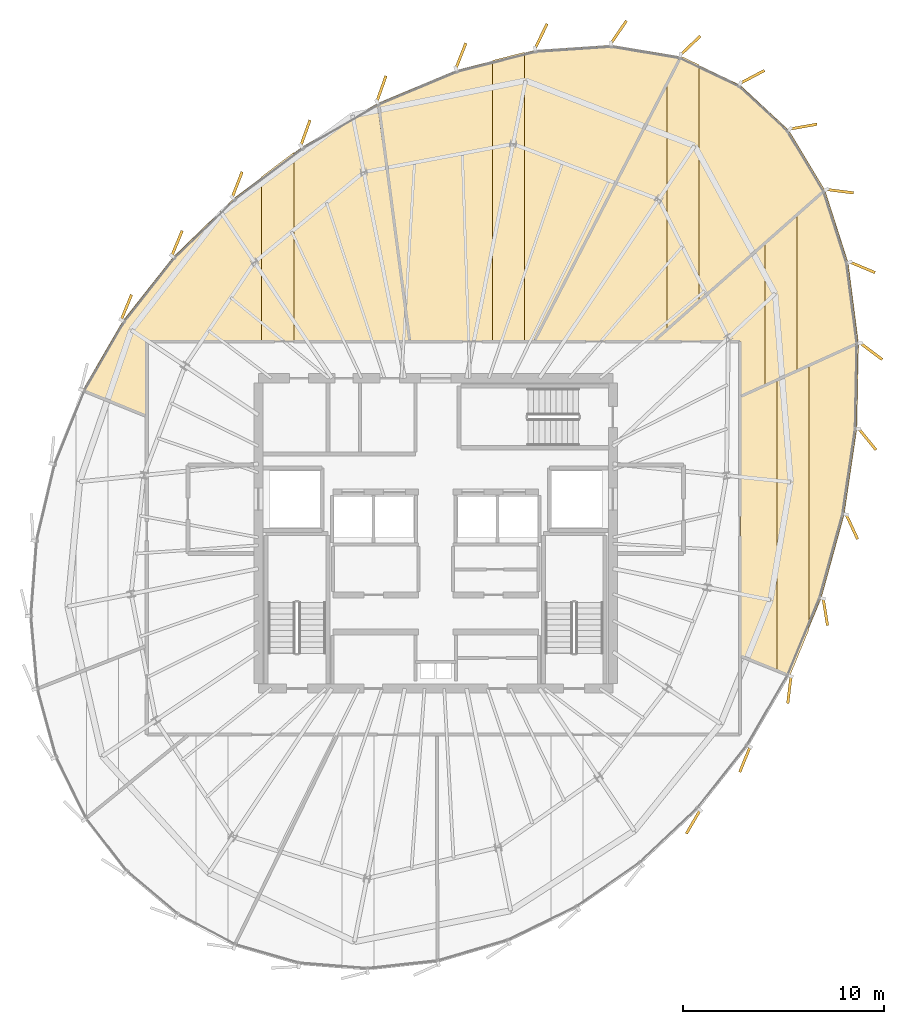
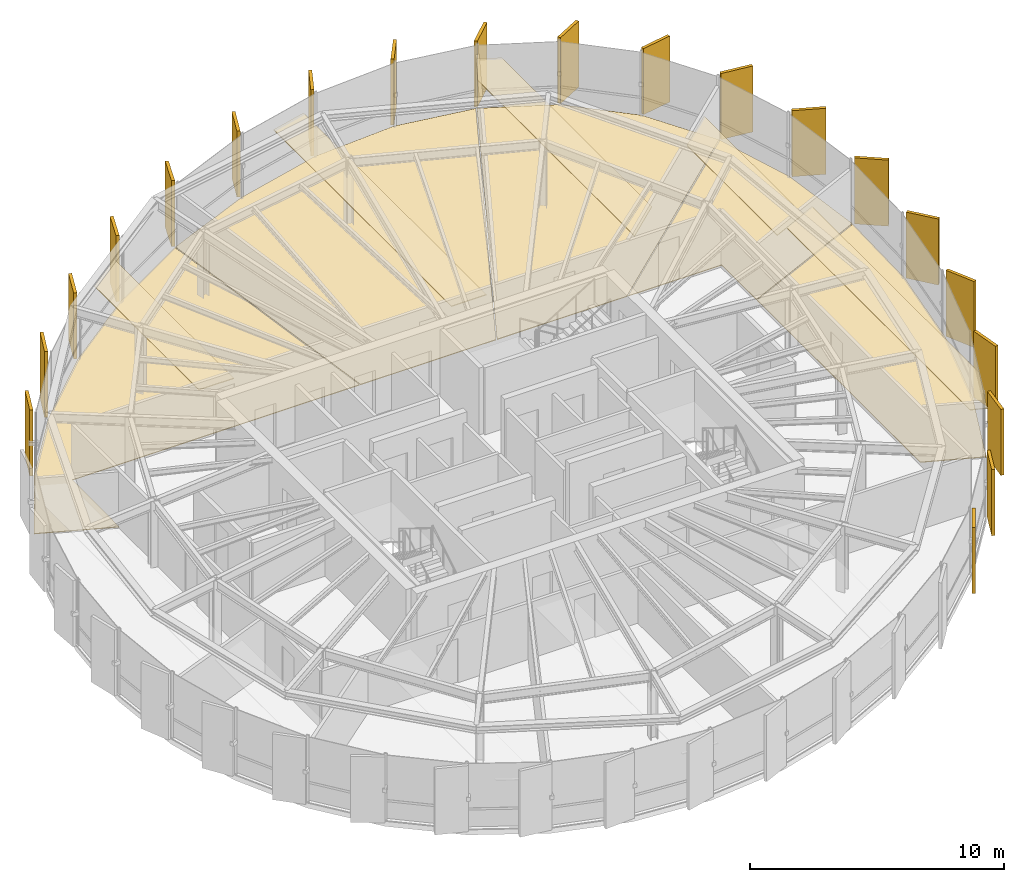
# One storey, part 34 of 34: 30 coverings.
"""IFC4 building model written with IfcOpenShell, lengths in metres."""

from ifc_helpers import new_model, si_unit, direction, frame, origin, origin_2d, place, context, subcontext, project, spatial, polyline, rectangle, outline, extrude, source, transform, mapped, material, layer, layer_set, type_object, element, save


model = new_model("IFC4")

# Units and contexts
model_context = context("Model", 3, precision=1e-05, world=origin(), true_north=direction((0.0, 1.0)))
body_context = subcontext(model_context, "Body", "Model", "MODEL_VIEW")
ifc_project = project(units=[si_unit("LENGTHUNIT", "METRE"), si_unit("AREAUNIT", "SQUARE_METRE"), si_unit("VOLUMEUNIT", "CUBIC_METRE"), si_unit("PLANEANGLEUNIT", "RADIAN"), si_unit("MASSUNIT", "GRAM", prefix="KILO"), si_unit("THERMODYNAMICTEMPERATUREUNIT", "KELVIN")], contexts=[model_context])

# Site, building, storey
site_placement = place(None, origin())
site = spatial("IfcSite", under=ifc_project, at=site_placement, CompositionType="ELEMENT")
building_placement = place(site_placement, origin())
building = spatial("IfcBuilding", under=site, at=building_placement, Name="Kethvar Cultural Tower", CompositionType="ELEMENT")
storey_placement = place(building_placement, frame((0.0, 0.0, 259.449951171875)))
storey = spatial("IfcBuildingStorey", under=building, at=storey_placement, Name="L68", CompositionType="ELEMENT", Elevation=259.449951171875)

# Coverings
ifc_material_1 = material(Name="Acoustic Mineral Fibre Ceiling")
ifc_layer_1 = layer(ifc_material_1, 0.0400390625, Name="Acoustic Mineral Fibre Ceiling")
ifc_layer_set_1 = layer_set([ifc_layer_1], Name="Acoustic Mineral Fibre Ceiling (40 mm)")
covering_type_1 = type_object("IfcCoveringType", Name="CV-ACOUSTIC-CEIL", PredefinedType="CEILING", material=ifc_layer_set_1)
covering_1_placement = place(storey_placement, frame((0.0, 0.0, 2.340087890625)))
element("IfcCovering", 1, at=covering_1_placement, inside=storey, type_object=covering_type_1, Name="L68 Room 05 Acoustic Ceiling Panel", PredefinedType="CEILING", context=body_context, shape_type="SweptSolid", body=[
    extrude(outline(polyline([(64.38232421875, 20.727294921875), (63.735107421875, 20.96630859375), (63.735107421875, 35.424072265625), (65.324951171875, 36.1376953125), (65.324951171875, 23.00634765625), (64.38232421875, 20.727294921875)])), origin(), (0.0, 0.0, 1.0), 0.0400390625),
])
covering_2_placement = place(storey_placement, frame((0.0, 0.0, 2.340087890625)))
element("IfcCovering", 2, at=covering_2_placement, inside=storey, type_object=covering_type_1, Name="L68 Room 06 Acoustic Ceiling Panel", PredefinedType="CEILING", context=body_context, shape_type="SweptSolid", body=[
    extrude(outline(polyline([(63.15673828125, 35.12060546875), (63.15673828125, 42.228515625), (64.746826171875, 43.628662109375), (64.746826171875, 35.83447265625), (63.15673828125, 35.12060546875)])), origin(), (0.0, 0.0, 1.0), 0.0400390625),
])
covering_3_placement = place(storey_placement, frame((0.0, 0.0, 2.340087890625)))
element("IfcCovering", 3, at=covering_3_placement, inside=storey, type_object=covering_type_1, Name="L68 Room 07 Acoustic Ceiling Panel", PredefinedType="CEILING", context=body_context, shape_type="SweptSolid", body=[
    extrude(outline(polyline([(58.271728515625, 37.8740234375), (58.271728515625, 50.203369140625), (58.95068359375, 51.500244140625), (59.86181640625, 51.06689453125), (59.86181640625, 39.274169921875), (58.271728515625, 37.8740234375)])), origin(), (0.0, 0.0, 1.0), 0.0400390625),
])
covering_4_placement = place(storey_placement, frame((0.0, 0.0, 2.340087890625)))
element("IfcCovering", 4, at=covering_4_placement, inside=storey, type_object=covering_type_1, Name="L68 Room 08 Acoustic Ceiling Panel", PredefinedType="CEILING", context=body_context, shape_type="SweptSolid", body=[
    extrude(outline(polyline([(51.22119140625, 51.6845703125), (51.22119140625, 37.31103515625), (49.631103515625, 37.31103515625), (49.631103515625, 51.2802734375), (51.22119140625, 51.6845703125)])), origin(), (0.0, 0.0, 1.0), 0.0400390625),
])
covering_5_placement = place(storey_placement, frame((0.0, 0.0, 2.340087890625)))
element("IfcCovering", 5, at=covering_5_placement, inside=storey, type_object=covering_type_1, Name="L68 Room 09 Acoustic Ceiling Panel", PredefinedType="CEILING", context=body_context, shape_type="SweptSolid", body=[
    extrude(outline(polyline([(39.7578125, 46.708740234375), (39.7578125, 37.31103515625), (38.167724609375, 37.31103515625), (38.167724609375, 45.5126953125), (39.7578125, 46.708740234375)])), origin(), (0.0, 0.0, 1.0), 0.0400390625),
])
ifc_material_2 = material(Name="Honed Warm Limestone", Category="masonry")
ifc_layer_2 = layer(ifc_material_2, 0.030029296875, Name="Honed Warm Limestone", Category="masonry")
ifc_layer_set_2 = layer_set([ifc_layer_2], Name="Honed Warm Limestone (30 mm)")
covering_type_2 = type_object("IfcCoveringType", Name="CV-STONE-FLOOR", PredefinedType="FLOORING", material=ifc_layer_set_2)
covering_6_placement = place(storey_placement, origin())
element("IfcCovering", 6, at=covering_6_placement, inside=storey, type_object=covering_type_2, Name="L68 Room 05 Floor Finish", PredefinedType="FLOORING", context=body_context, shape_type="SweptSolid", body=[
    extrude(outline(polyline([(67.703857421875, 32.9912109375), (67.0712890625, 28.720947265625), (65.93798828125, 24.59326171875), (64.35302734375, 20.7607421875), (61.922119140625, 21.73876953125), (61.922119140625, 34.56640625), (67.785888671875, 37.198486328125), (67.703857421875, 32.9912109375)])), origin(), (0.0, 0.0, 1.0), 0.030029296875),
])
covering_7_placement = place(storey_placement, origin())
element("IfcCovering", 7, at=covering_7_placement, inside=storey, type_object=covering_type_2, Name="L68 Room 06 Floor Finish", PredefinedType="FLOORING", context=body_context, shape_type="SweptSolid", body=[
    extrude(outline(polyline([(67.270751953125, 41.237548828125), (67.78466796875, 37.241943359375), (61.922119140625, 34.610107421875), (61.9130859375, 37.34765625), (57.677734375, 37.35107421875), (66.13037109375, 44.79345703125), (67.270751953125, 41.237548828125)])), origin(), (0.0, 0.0, 1.0), 0.030029296875),
])
covering_8_placement = place(storey_placement, origin())
element("IfcCovering", 8, at=covering_8_placement, inside=storey, type_object=covering_type_2, Name="L68 Room 07 Floor Finish", PredefinedType="FLOORING", context=body_context, shape_type="SweptSolid", body=[
    extrude(outline(polyline([(66.114501953125, 44.832763671875), (57.6171875, 37.35107421875), (51.72265625, 37.35107421875), (58.958251953125, 51.453857421875), (61.915771484375, 50.042236328125), (64.3291015625, 47.80078125), (66.114501953125, 44.832763671875)])), origin(), (0.0, 0.0, 1.0), 0.030029296875),
])
covering_9_placement = place(storey_placement, origin())
element("IfcCovering", 9, at=covering_9_placement, inside=storey, type_object=covering_type_2, Name="L68 Room 08 Floor Finish", PredefinedType="FLOORING", context=body_context, shape_type="SweptSolid", body=[
    extrude(outline(polyline([(47.841064453125, 50.78369140625), (51.75830078125, 51.77978515625), (55.51220703125, 52.030517578125), (58.919189453125, 51.465087890625), (51.677734375, 37.35107421875), (45.53369140625, 37.35107421875), (43.9443359375, 49.15234375), (47.841064453125, 50.78369140625)])), origin(), (0.0, 0.0, 1.0), 0.030029296875),
])
covering_10_placement = place(storey_placement, origin())
element("IfcCovering", 10, at=covering_10_placement, inside=storey, type_object=covering_type_2, Name="L68 Room 09 Floor Finish", PredefinedType="FLOORING", context=body_context, shape_type="SweptSolid", body=[
    extrude(outline(polyline([(31.28125, 38.346435546875), (33.7802734375, 41.516357421875), (36.773193359375, 44.413818359375), (40.194091796875, 46.98681640625), (43.906494140625, 49.132568359375), (45.493408203125, 37.35107421875), (32.4541015625, 37.35009765625), (32.43994140625, 33.64111328125), (29.293212890625, 34.91650390625), (31.28125, 38.346435546875)])), origin(), (0.0, 0.0, 1.0), 0.030029296875),
])
ifc_material_3 = material(Name="Extruded Architectural Terracotta", Category="masonry")
ifc_layer_3 = layer(ifc_material_3, 0.135009765625, Name="Extruded Architectural Terracotta", Category="masonry")
ifc_layer_set_3 = layer_set([ifc_layer_3], Name="Extruded Architectural Terracotta (135 mm)")
covering_type_3 = type_object("IfcCoveringType", Name="Terracotta Facade Fin FIN-03", PredefinedType="CLADDING", material=ifc_layer_set_3)
shared_shape = source(origin(), body_context, "Body", "SweptSolid", [
    extrude(rectangle(XDim=1.35009765625, YDim=0.135009765625, at=origin_2d()), origin(), (0.0, 0.0, 1.0), 3.169921875),
])
for number, where, z_axis, x_axis, name in (
    (11, (62.52587890625, 50.46240234375, 0.02001953125), (0.0, 0.0, 1.0), (0.883765630089, 0.467929814261, 0.0), "L68 Vertical Terracotta Fin 1.1"),
    (12, (59.451171875, 52.024658203125, 0.02001953125), (0.0, 0.0, 1.0), (0.724051489092, 0.689745925065, 0.0), "L68 Vertical Terracotta Fin 1.2"),
    (13, (55.889404296875, 52.6875, 0.02001953125), (0.0, 0.0, 1.0), (0.564822985348, 0.825212091054, 0.0), "L68 Vertical Terracotta Fin 1.3"),
    (14, (52.03369140625, 52.482666015625, 0.02001953125), (0.0, 0.0, 1.0), (0.44213214966, 0.896949921811, 0.0), "L68 Vertical Terracotta Fin 1.4"),
    (15, (48.051025390625, 51.504638671875, 0.02001953125), (0.0, 0.0, 1.0), (0.366176427403, 0.930545444358, 0.0), "L68 Vertical Terracotta Fin 1.5"),
    (16, (44.1083984375, 49.8701171875, 0.02001953125), (0.0, 0.0, 1.0), (0.334793807884, 0.94229141257, 0.0), "L68 Vertical Terracotta Fin 1.6"),
    (17, (40.335693359375, 47.680908203125, 0.02001953125), (0.0, 0.0, 1.0), (0.339887169865, 0.940466220425, 0.0), "L68 Vertical Terracotta Fin 2.1"),
    (18, (36.94921875, 45.115478515625, 0.02001953125), (0.0, 0.0, 1.0), (0.362438038284, 0.932007869283, 0.0), "L68 Vertical Terracotta Fin 2.2"),
    (19, (33.96142578125, 42.20263671875, 0.02001953125), (0.0, 0.0, 1.0), (0.383650706743, 0.923478280858, 0.0), "L68 Vertical Terracotta Fin 2.3"),
    (20, (31.44921875, 39.0234375, 0.02001953125), (0.0, 0.0, 1.0), (0.376062547658, 0.926594280281, 0.0), "L68 Vertical Terracotta Fin 2.4"),
    (21, (59.585205078125, 13.4794921875, 0.02001953125), (0.0, 0.0, 1.0), (-0.504527623815, -0.863395550607, 0.0), "L68 Vertical Terracotta Fin 5.3"),
    (22, (62.14990234375, 16.576904296875, 0.02001953125), (0.0, 0.0, 1.0), (-0.377032668542, -0.926199960512, 0.0), "L68 Vertical Terracotta Fin 5.4"),
    (23, (64.35791015625, 20.0341796875, 0.02001953125), (0.0, 0.0, 1.0), (-0.118403968307, -0.992965508107, 0.0), "L68 Vertical Terracotta Fin 5.5"),
    (24, (66.143310546875, 23.8994140625, 0.02001953125), (0.0, 0.0, 1.0), (0.161776057456, -0.986827496189, 0.0), "L68 Vertical Terracotta Fin 5.6"),
    (25, (67.458984375, 28.128173828125, 0.02001953125), (0.0, 0.0, 1.0), (0.420402474635, -0.907337731675, 0.0), "L68 Vertical Terracotta Fin 6.1"),
    (26, (68.231201171875, 32.46533203125, 0.02001953125), (0.0, 0.0, 1.0), (0.633110712854, -0.77406125421, 0.0), "L68 Vertical Terracotta Fin 6.2"),
    (27, (68.425537109375, 36.834716796875, 0.02001953125), (0.0, 0.0, 1.0), (0.799789439405, -0.600280644879, 0.0), "L68 Vertical Terracotta Fin 6.3"),
    (28, (67.989013671875, 41.00537109375, 0.02001953125), (0.0, 0.0, 1.0), (0.92220097167, -0.386710961637, 0.0), "L68 Vertical Terracotta Fin 6.4"),
    (29, (66.87841796875, 44.785400390625, 0.02001953125), (0.0, 0.0, 1.0), (0.992136560979, -0.125160074975, 0.0), "L68 Vertical Terracotta Fin 6.5"),
    (30, (65.063720703125, 47.990966796875, 0.02001953125), (0.0, 0.0, 1.0), (0.984380510996, 0.17605399618, 0.0), "L68 Vertical Terracotta Fin 6.6"),
):
    element("IfcCovering", number, at=place(storey_placement, frame(where, z_axis=z_axis, x_axis=x_axis)), inside=storey, type_object=covering_type_3, Name=name, PredefinedType="CLADDING", context=body_context, shape_type="MappedRepresentation", body=[
        mapped(shared_shape, transform((0.0, 0.0, 0.0), scale=1.0)),
    ])

save(model, "model.ifc")
